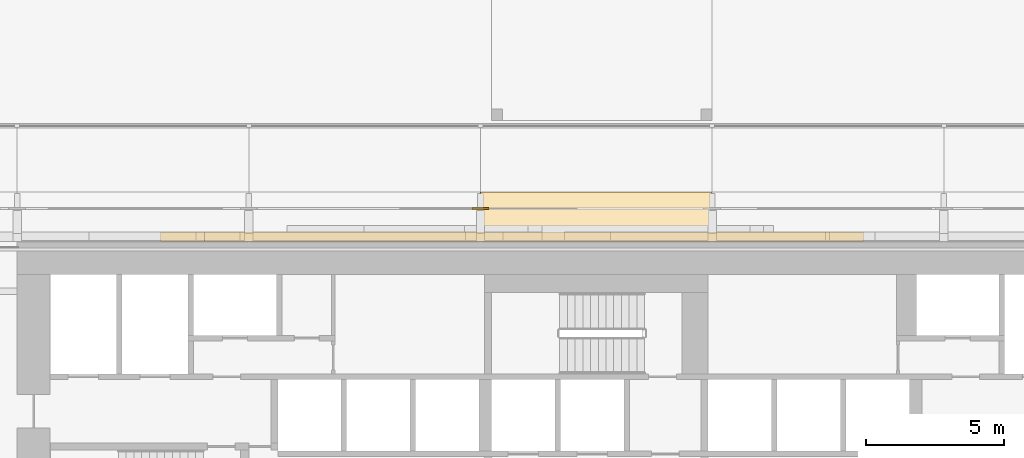
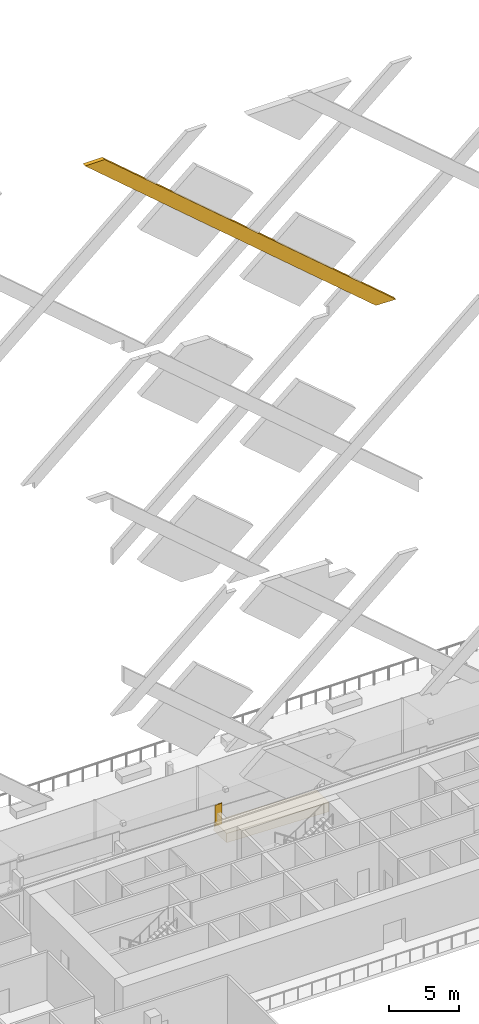
# One storey, part 44 of 60: 2 coverings, 1 railing.
"""IFC4 building model written with IfcOpenShell, lengths in metres."""

from ifc_helpers import new_model, si_unit, direction, frame, origin, origin_2d, place, context, subcontext, project, spatial, polyline, rectangle, outline, extrude, material, layer, layer_set, type_object, element, save


model = new_model("IFC4")

# Units and contexts
model_context = context("Model", 3, precision=1e-05, world=origin(), true_north=direction((0.0, 1.0)))
body_context = subcontext(model_context, "Body", "Model", "MODEL_VIEW")
ifc_project = project(units=[si_unit("LENGTHUNIT", "METRE"), si_unit("AREAUNIT", "SQUARE_METRE"), si_unit("VOLUMEUNIT", "CUBIC_METRE"), si_unit("PLANEANGLEUNIT", "RADIAN"), si_unit("MASSUNIT", "GRAM", prefix="KILO")], contexts=[model_context])

# Site, building, storey
site_placement = place(None, origin())
site = spatial("IfcSite", under=ifc_project, at=site_placement, CompositionType="ELEMENT")
building_placement = place(site_placement, origin())
building = spatial("IfcBuilding", under=site, at=building_placement, Name="Saffron Gate Tower", CompositionType="ELEMENT")
storey_placement = place(building_placement, frame((0.0, 0.0, 19.199951171875)))
storey = spatial("IfcBuildingStorey", under=building, at=storey_placement, Name="L03", CompositionType="ELEMENT", Elevation=19.199951171875)

# Covering
ifc_material_1 = material(Name="Timber, thermally modified ash", Category="wood")
ifc_layer_1 = layer(ifc_material_1, 0.800048828125)
ifc_layer_set_1 = layer_set([ifc_layer_1], Name="LD1 ledge timber")
covering_type_1 = type_object("IfcCoveringType", Name="LD1 ledge timber", PredefinedType="CLADDING", material=ifc_layer_set_1)
covering_1_placement = place(storey_placement, frame((91.800048828125, 75.60009765625, 2.6572265625), z_axis=(0.028790339263, 0.0, 0.999585472266), x_axis=(-0.999585472266, 0.0, 0.028790339263)))
element("IfcCovering", 1, at=covering_1_placement, inside=storey, type_object=covering_type_1, Name="LEDGE", PredefinedType="CLADDING", context=body_context, shape_type="SweptSolid", body=[
    extrude(outline(polyline([(0.0, 0.0), (8.403630022085892, 0.0), (8.403630022085892, -1.7998046875), (0.0, -1.7998046875), (0.0, 0.0)])), origin(), (0.0, 0.0, -1.0), 0.800048828125),
])

# Railing
railing_type = type_object("IfcRailingType", Name="LG1 ledge balustrade", PredefinedType="BALUSTRADE", material=ifc_material_1)
railing_placement = place(storey_placement, frame((83.699951171875, 76.800048828125, 2.899169921875)))
element("IfcRailing", 2, at=railing_placement, inside=storey, type_object=railing_type, Name="LEDGE BALUSTRADE", PredefinedType="BALUSTRADE", context=body_context, shape_type="SweptSolid", body=[
    extrude(rectangle(XDim=0.06005859375, YDim=1.8310546875, at=origin_2d()), frame((0.0, 0.0, 0.91552734375), z_axis=(-1.0, 0.0, 0.0), x_axis=(0.0, -1.0, 0.0)), (0.0, 0.0, 1.0), 0.599853515625),
])

# Covering
ifc_material_2 = material(Name="Ceramic-printed bronze insulated panel")
ifc_layer_2 = layer(ifc_material_2, 0.35009765625)
ifc_layer_set_2 = layer_set([ifc_layer_2], Name="LZ1 lozenge lattice bar 1600")
covering_type_2 = type_object("IfcCoveringType", Name="LZ1 lozenge lattice bar 1600", PredefinedType="CLADDING", material=ifc_layer_set_2)
covering_2_placement = place(storey_placement, frame((97.2841796875, 75.949951171875, 44.327880859375), z_axis=(0.0, 1.0, 0.0), x_axis=(-0.999582655558, 0.0, 0.028887968223)))
element("IfcCovering", 3, at=covering_2_placement, inside=storey, type_object=covering_type_2, Name="CLADDING lozenge lattice bar", PredefinedType="CLADDING", context=body_context, shape_type="SweptSolid", body=[
    extrude(outline(polyline([(0.0, 0.0), (1.6564530302159628, 0.0), (26.064894536735977, 19.72743926076808), (24.465708711084094, 19.77365577828913), (0.0, 0.0)])), origin(), (0.0, 0.0, -1.0), 0.35009765625),
])

save(model, "model.ifc")
